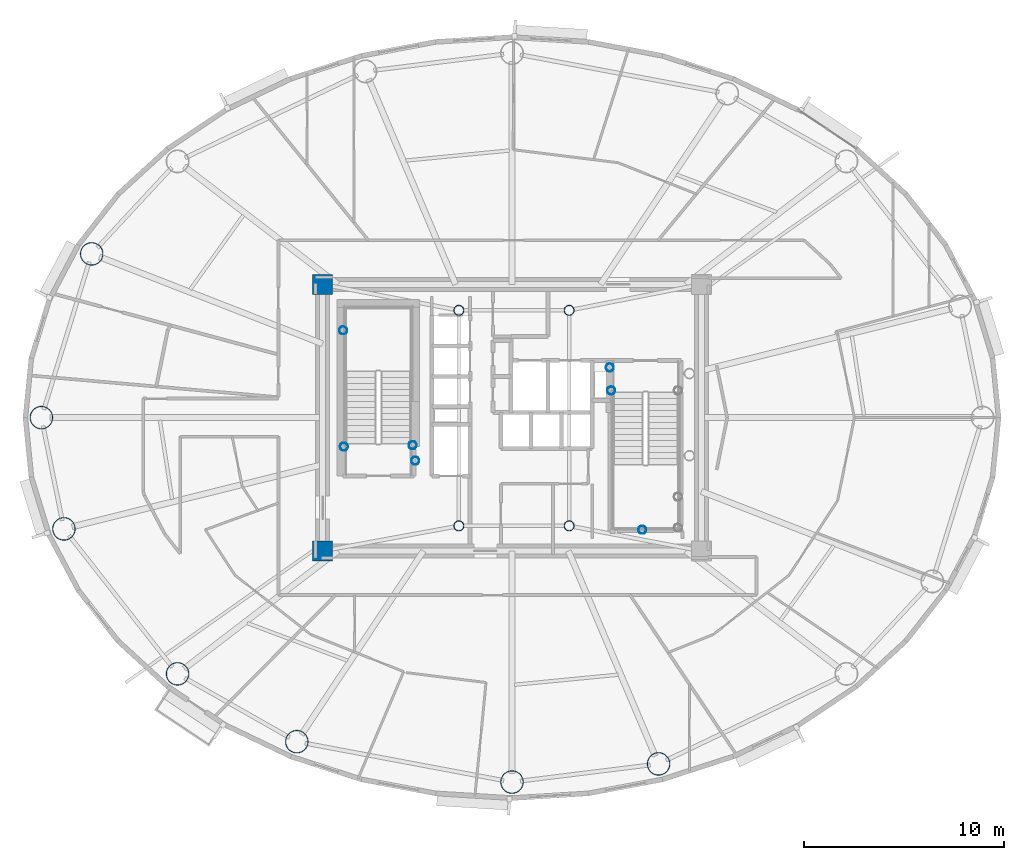
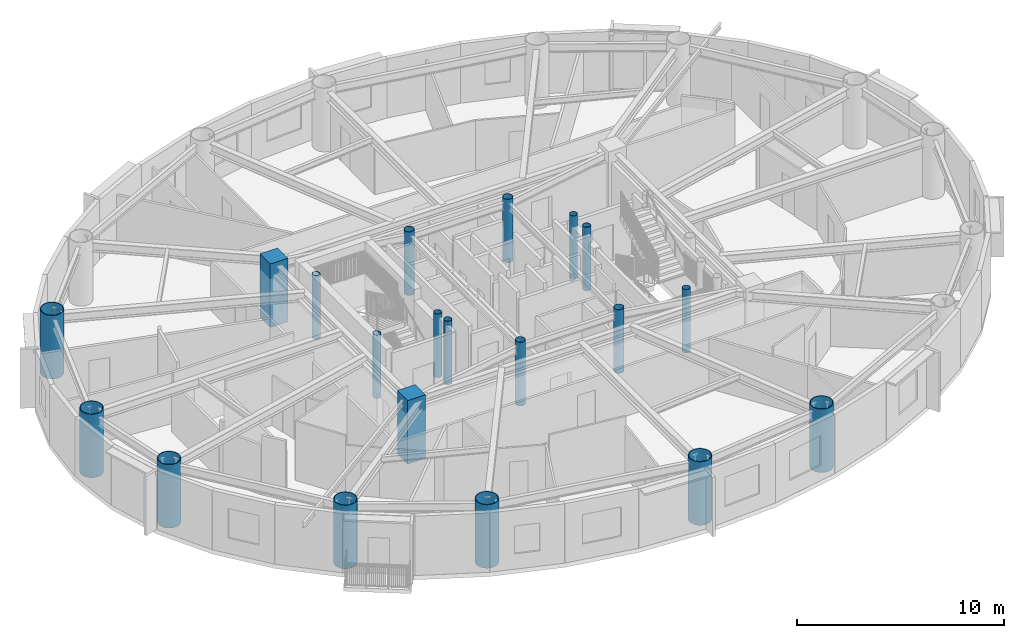
# One storey, part 1 of 18: 20 columns.
"""IFC4 building model written with IfcOpenShell, lengths in metres."""

from ifc_helpers import new_model, si_unit, direction, frame, origin, origin_2d, place, context, subcontext, project, spatial, rectangle, hollow_circle, extrude, material, material_profile, profile_set, type_object, element, save


model = new_model("IFC4")

# Units and contexts
model_context = context("Model", 3, precision=1e-05, world=origin(), true_north=direction((0.0, 1.0)))
body_context = subcontext(model_context, "Body", "Model", "MODEL_VIEW")
ifc_project = project(units=[si_unit("LENGTHUNIT", "METRE"), si_unit("AREAUNIT", "SQUARE_METRE"), si_unit("VOLUMEUNIT", "CUBIC_METRE"), si_unit("PLANEANGLEUNIT", "RADIAN"), si_unit("MASSUNIT", "GRAM", prefix="KILO")], contexts=[model_context])

# Site, building, storey
site_placement = place(None, origin())
site = spatial("IfcSite", under=ifc_project, at=site_placement, CompositionType="ELEMENT")
building_placement = place(site_placement, origin())
building = spatial("IfcBuilding", under=site, at=building_placement, Name="Linh Dai School and Residence Tower", CompositionType="ELEMENT")
storey_placement = place(building_placement, frame((0.0, 0.0, 244.050048828125)))
storey = spatial("IfcBuildingStorey", under=building, at=storey_placement, Name="L60", CompositionType="ELEMENT", Elevation=244.050048828125)

# Columns
ifc_material_1 = material(Name="Concrete B45 (C35/45)", Category="concrete")
ifc_material_profile_1 = material_profile(ifc_material_1, rectangle(XDim=1.0, YDim=1.0, at=origin_2d()), Name="RC 1000x1000")
ifc_profile_set_1 = profile_set([ifc_material_profile_1], Name="Concrete B45 (C35/45)")
column_type_1 = type_object("IfcColumnType", Name="COL-CC3", PredefinedType="COLUMN", material=ifc_profile_set_1)
for number, where, z_axis, x_axis, name in (
    (1, (26.550048828125, 20.35009765625, 0.0), (0.0, 0.0, 1.0), (1.0, 0.0, 0.0), "L60 Core Corner Pier CC1"),
    (2, (26.550048828125, 33.64990234375, 0.0), (0.0, 0.0, 1.0), (1.0, 0.0, 0.0), "L60 Core Corner Pier CC4"),
):
    element("IfcColumn", number, at=place(storey_placement, frame(where, z_axis=z_axis, x_axis=x_axis)), inside=storey, type_object=column_type_1, Name=name, PredefinedType="COLUMN", context=body_context, shape_type="SweptSolid", body=[
        extrude(rectangle(XDim=1.0, YDim=1.0, at=origin_2d()), origin(), (0.0, 0.0, 1.0), 3.75),
    ])
ifc_material_2 = material(Name="Structural Steel S355JR", Category="steel")
ifc_material_profile_2 = material_profile(ifc_material_2, hollow_circle(Radius=0.203125, WallThickness=0.01611328125, at=origin_2d()), Name="CHS 406.4x16")
ifc_profile_set_2 = profile_set([ifc_material_profile_2], Name="Structural Steel S355JR")
column_type_2 = type_object("IfcColumnType", Name="COL-EC", PredefinedType="COLUMN", material=ifc_profile_set_2)
for number, where, z_axis, x_axis, name in (
    (3, (27.580078125, 31.35009765625, 0.0), (0.0, 0.0, 1.0), (1.0, 0.0, 0.0), "L60 Stair Shaft Landing Support Pier ST1NW"),
    (4, (31.050048828125, 25.6201171875, 0.0), (0.0, 0.0, 1.0), (1.0, 0.0, 0.0), "L60 Stair Shaft Landing Support Pier ST1SE"),
    (5, (31.179931640625, 24.85009765625, 0.0), (0.0, 0.0, 1.0), (1.0, 0.0, 0.0), "L60 Stair Shaft Landing Support Pier ST1SM"),
    (6, (27.6201171875, 25.550048828125, 0.0), (0.0, 0.0, 1.0), (1.0, 0.0, 0.0), "L60 Stair Shaft Landing Support Pier ST1SW"),
    (7, (42.5, 21.39990234375, 0.0), (0.0, 0.0, 1.0), (1.0, 0.0, 0.0), "L60 Stair Shaft Landing Support Pier ST2MS"),
    (8, (40.949951171875, 28.35009765625, 0.0), (0.0, 0.0, 1.0), (1.0, 0.0, 0.0), "L60 Stair Shaft Landing Support Pier ST2N1"),
    (9, (40.8798828125, 29.5, 0.0), (0.0, 0.0, 1.0), (1.0, 0.0, 0.0), "L60 Stair Shaft Landing Support Pier ST2N3"),
):
    element("IfcColumn", number, at=place(storey_placement, frame(where, z_axis=z_axis, x_axis=x_axis)), inside=storey, type_object=column_type_2, Name=name, PredefinedType="COLUMN", context=body_context, shape_type="SweptSolid", body=[
        extrude(hollow_circle(Radius=0.203125, WallThickness=0.01611328125, at=origin_2d()), origin(), (0.0, 0.0, 1.0), 3.75),
    ])
ifc_material_profile_3 = material_profile(ifc_material_2, hollow_circle(Radius=0.574951171875, WallThickness=0.035888671875, at=origin_2d()), Name="CHS 1150x36")
ifc_profile_set_3 = profile_set([ifc_material_profile_3], Name="Structural Steel S355JR")
column_type_3 = type_object("IfcColumnType", Name="COL-MC5", PredefinedType="COLUMN", material=ifc_profile_set_3)
for number, where, z_axis, x_axis, name in (
    (10, (15.03466796875, 35.1689453125, 0.0), (0.0, 0.0, 1.0), (1.0, 0.0, 0.0), "L60 Perimeter CFT Mega-Column MC08"),
    (11, (12.52490234375, 27.0, 0.0), (0.0, 0.0, 1.0), (1.0, 0.0, 0.0), "L60 Perimeter CFT Mega-Column MC09"),
    (12, (13.648681640625, 21.45068359375, 0.0), (0.0, 0.0, 1.0), (1.0, 0.0, 0.0), "L60 Perimeter CFT Mega-Column MC10"),
    (13, (19.31689453125, 14.218994140625, 0.0), (0.0, 0.0, 1.0), (1.0, 0.0, 0.0), "L60 Perimeter CFT Mega-Column MC11"),
    (14, (25.265380859375, 10.83642578125, 0.0), (0.0, 0.0, 1.0), (1.0, 0.0, 0.0), "L60 Perimeter CFT Mega-Column MC12"),
    (15, (36.0, 8.820068359375, 0.0), (0.0, 0.0, 1.0), (1.0, 0.0, 0.0), "L60 Perimeter CFT Mega-Column MC13"),
    (16, (43.31201171875, 9.7265625, 0.0), (0.0, 0.0, 1.0), (1.0, 0.0, 0.0), "L60 Perimeter CFT Mega-Column MC14"),
):
    element("IfcColumn", number, at=place(storey_placement, frame(where, z_axis=z_axis, x_axis=x_axis)), inside=storey, type_object=column_type_3, Name=name, PredefinedType="COLUMN", context=body_context, shape_type="SweptSolid", body=[
        extrude(hollow_circle(Radius=0.574951171875, WallThickness=0.035888671875, at=origin_2d()), origin(), (0.0, 0.0, 1.0), 3.75),
    ])
ifc_material_profile_4 = material_profile(ifc_material_2, hollow_circle(Radius=0.25390625, WallThickness=0.02001953125, at=origin_2d()), Name="CHS 508x20")
ifc_profile_set_4 = profile_set([ifc_material_profile_4], Name="Structural Steel S355JR")
column_type_4 = type_object("IfcColumnType", Name="COL-MCP", PredefinedType="COLUMN", material=ifc_profile_set_4)
for number, where, z_axis, x_axis, name in (
    (17, (33.35009765625, 21.60009765625, 0.0), (0.0, 0.0, 1.0), (1.0, 0.0, 0.0), "L60 Core Mast Support Pier MCP1"),
    (18, (38.85009765625, 21.60009765625, 0.0), (0.0, 0.0, 1.0), (1.0, 0.0, 0.0), "L60 Core Mast Support Pier MCP2"),
    (19, (38.85009765625, 32.35009765625, 0.0), (0.0, 0.0, 1.0), (1.0, 0.0, 0.0), "L60 Core Mast Support Pier MCP3"),
    (20, (33.35009765625, 32.35009765625, 0.0), (0.0, 0.0, 1.0), (1.0, 0.0, 0.0), "L60 Core Mast Support Pier MCP4"),
):
    element("IfcColumn", number, at=place(storey_placement, frame(where, z_axis=z_axis, x_axis=x_axis)), inside=storey, type_object=column_type_4, Name=name, PredefinedType="COLUMN", context=body_context, shape_type="SweptSolid", body=[
        extrude(hollow_circle(Radius=0.25390625, WallThickness=0.02001953125, at=origin_2d()), origin(), (0.0, 0.0, 1.0), 3.75),
    ])

save(model, "model.ifc")
